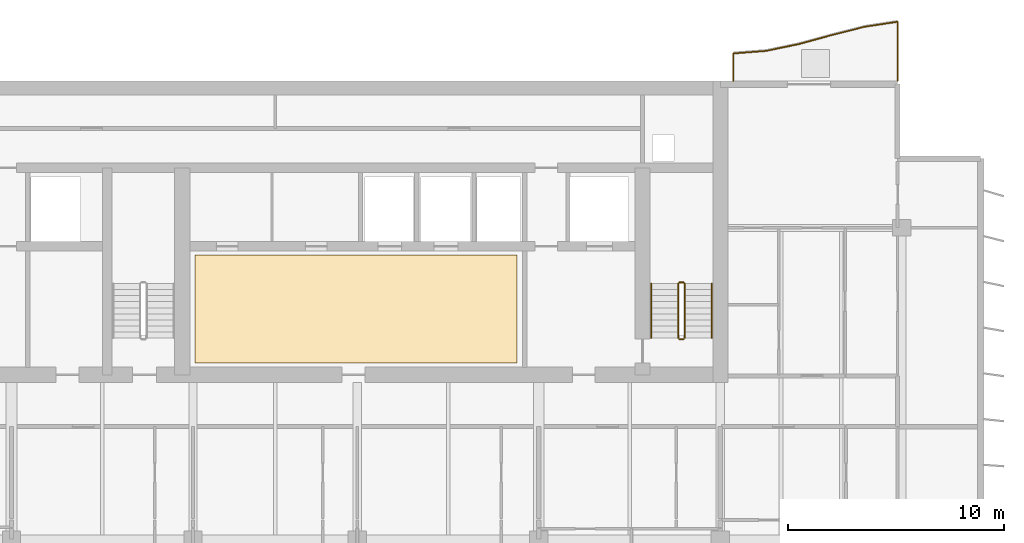
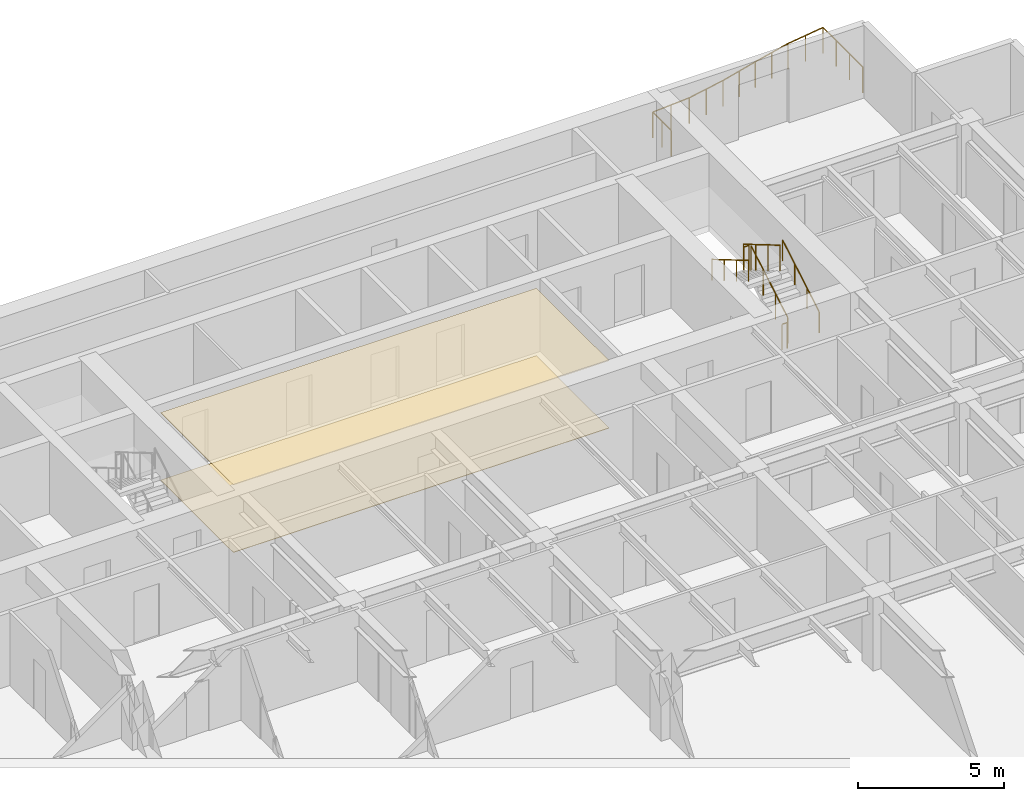
# One storey, part 17 of 18: 7 railings, 2 coverings.
"""IFC4 building model written with IfcOpenShell, lengths in metres."""

import ifcopenshell
import ifcopenshell.guid

model = None  # the IFC model being written
_history = None  # IfcOwnerHistory: only IFC2X3 demands one
_inside = {}  # id of a spatial element -> (the spatial element, [elements in it])
_under = {}  # id of a project, library or spatial element -> (it, [spatial elements below it])
_declared = {}  # id of a project -> (the project, [libraries it declares])
_typed = {}  # id of a type object -> (the type object, [elements of that type])
_made_of = {}  # id of a material, layer set ... -> (it, [elements and type objects made of it])


def new_model(schema):
    """Start an empty IFC model of exactly this schema.

    Asked for "IFC4X3", IfcOpenShell would pick the latest addendum, in which some entities
    have other attributes; the version numbers below select the first issue.
    IFC2X3 requires an IfcOwnerHistory on every rooted entity: one is made here for all.
    """
    global model, _history
    if schema == "IFC4X3":
        model = ifcopenshell.file(schema_version=(4, 3, 0, 0))
    else:
        model = ifcopenshell.file(schema=schema)
    _inside.clear()
    _under.clear()
    _declared.clear()
    _typed.clear()
    _made_of.clear()
    _history = None
    if model.schema == "IFC2X3":
        org = make("IfcOrganization", Name="unknown")
        user = make(
            "IfcPersonAndOrganization",
            ThePerson=make("IfcPerson", FamilyName="unknown"),
            TheOrganization=org,
        )
        app = make(
            "IfcApplication",
            ApplicationDeveloper=org,
            Version="unknown",
            ApplicationFullName="unknown",
            ApplicationIdentifier="unknown",
        )
        _history = make(
            "IfcOwnerHistory",
            OwningUser=user,
            OwningApplication=app,
            ChangeAction="ADDED",
            CreationDate=0,
        )
    return model


def make(cls, **values):
    """One entity of the class cls with the attributes given. An attribute that is None is left unset."""
    return model.create_entity(
        cls, **{name: value for name, value in values.items() if value is not None}
    )


def rooted(cls, **values):
    """An entity with a GlobalId (a new one), such as an element, a storey or a relation."""
    return make(cls, GlobalId=ifcopenshell.guid.new(), OwnerHistory=_history, **values)


def si_unit(unit_type, name, prefix=None):
    """IfcSIUnit, for example si_unit("LENGTHUNIT", "METRE", prefix="MILLI")."""
    return make("IfcSIUnit", UnitType=unit_type, Prefix=prefix, Name=name)


def assignment(units):
    """IfcUnitAssignment: the units of a project."""
    return None if units is None else make("IfcUnitAssignment", Units=units)


def point(xyz):
    """IfcCartesianPoint."""
    return None if xyz is None else make("IfcCartesianPoint", Coordinates=xyz)


def direction(xyz):
    """IfcDirection."""
    return None if xyz is None else make("IfcDirection", DirectionRatios=xyz)


def frame(location, z_axis=None, x_axis=None):
    """IfcAxis2Placement3D, a coordinate frame: its origin and axes. An axis left out is left unset."""
    return make(
        "IfcAxis2Placement3D",
        Location=point(location),
        Axis=direction(z_axis),
        RefDirection=direction(x_axis),
    )


def frame_2d(location, x_axis=None):
    """IfcAxis2Placement2D, a coordinate frame in the plane: its origin and x axis."""
    return make(
        "IfcAxis2Placement2D", Location=point(location), RefDirection=direction(x_axis)
    )


def origin():
    """The frame at (0, 0, 0) with its axes left unset."""
    return frame((0.0, 0.0, 0.0))


def origin_2d():
    """The frame at (0, 0) in the plane with its x axis left unset."""
    return frame_2d((0.0, 0.0))


def place(relative_to, where):
    """IfcLocalPlacement: puts the frame where relative to a parent placement (None: the world)."""
    return make(
        "IfcLocalPlacement", PlacementRelTo=relative_to, RelativePlacement=where
    )


def context(
    kind, dimensions, precision=None, world=None, true_north=None, identifier=None
):
    """IfcGeometricRepresentationContext, for example the 3D "Model" context."""
    return make(
        "IfcGeometricRepresentationContext",
        ContextIdentifier=identifier,
        ContextType=kind,
        CoordinateSpaceDimension=dimensions,
        Precision=precision,
        WorldCoordinateSystem=world,
        TrueNorth=true_north,
    )


def subcontext(parent, identifier, kind, view, scale=None):
    """IfcGeometricRepresentationSubContext, for example "Body" below "Model"."""
    return make(
        "IfcGeometricRepresentationSubContext",
        ContextIdentifier=identifier,
        ContextType=kind,
        ParentContext=parent,
        TargetScale=scale,
        TargetView=view,
    )


def project(units=None, contexts=None):
    """IfcProject with its units and contexts."""
    return rooted(
        "IfcProject",
        Name="project",
        RepresentationContexts=contexts,
        UnitsInContext=assignment(units),
    )


def spatial(cls, under=None, at=None, **own):
    """A site, building, storey or space (cls), placed at a placement, below another one or the project."""
    s = rooted(cls, ObjectPlacement=at, **own)
    if under is not None:
        _under.setdefault(under.id(), (under, []))[1].append(s)
    return s


def polyline(points):
    """IfcPolyline through the points."""
    return make("IfcPolyline", Points=[point(p) for p in points])


def profile(cls, at=None, kind="AREA", **sizes):
    """A parametric profile (cls). Its sizes go by their IFC names, for example OverallWidth=200.0."""
    return make(cls, ProfileType=kind, Position=at, **sizes)


def circle(**sizes):
    """IfcCircleProfileDef."""
    return profile("IfcCircleProfileDef", **sizes)


def outline(outer, holes=None, kind="AREA"):
    """IfcArbitraryClosedProfileDef: a profile drawn as a closed curve; with holes, ...WithVoids."""
    if holes is None:
        return make("IfcArbitraryClosedProfileDef", ProfileType=kind, OuterCurve=outer)
    return make(
        "IfcArbitraryProfileDefWithVoids",
        ProfileType=kind,
        OuterCurve=outer,
        InnerCurves=holes,
    )


def extrude(swept, where, along, depth):
    """IfcExtrudedAreaSolid: the profile swept, set in the frame where, extruded along a direction by depth."""
    return make(
        "IfcExtrudedAreaSolid",
        SweptArea=swept,
        Position=where,
        ExtrudedDirection=direction(along),
        Depth=depth,
    )


def shape(context_of_items, identifier, shape_type, items):
    """IfcShapeRepresentation: the items that make up one representation, for example the "Body"."""
    return make(
        "IfcShapeRepresentation",
        ContextOfItems=context_of_items,
        RepresentationIdentifier=identifier,
        RepresentationType=shape_type,
        Items=items,
    )


def material(Name=None, Category=None):
    """IfcMaterial."""
    return make("IfcMaterial", Name=Name, Category=Category)


def layer(
    of_material, thickness, ventilated=None, Name=None, Category=None, Priority=None
):
    """IfcMaterialLayer: one layer of a wall or slab, of a material (None: an air gap)."""
    return make(
        "IfcMaterialLayer",
        Material=of_material,
        LayerThickness=thickness,
        IsVentilated=ventilated,
        Name=Name,
        Category=Category,
        Priority=Priority,
    )


def layer_set(layers, Name=None):
    """IfcMaterialLayerSet."""
    return make("IfcMaterialLayerSet", MaterialLayers=layers, LayerSetName=Name)


def made_of(thing, what):
    """Note that an element or type object is made of a material, layer set ...; save() writes the relation."""
    if what is not None:
        _made_of.setdefault(what.id(), (what, []))[1].append(thing)
    return thing


def type_object(cls, material=None, **own):
    """A type object (cls), such as IfcWallType, which elements share."""
    return made_of(rooted(cls, **own), material)


def element(
    cls,
    number,
    at=None,
    inside=None,
    cuts=None,
    type_object=None,
    material=None,
    context=None,
    identifier="Body",
    shape_type=None,
    held_by="IfcProductDefinitionShape",
    body=None,
    shapes=None,
    **own,
):
    """One element of the class cls, such as IfcWall. Its Tag is "e" and its number.

    at: its placement. inside: the storey or other place that contains it. cuts: it is an
    opening in that element (IfcRelVoidsElement). A single representation is given by context,
    identifier, shape_type and body (its items); several are given by shapes. held_by: the class
    of the entity that holds the representations. save() writes the other relations.
    """
    e = rooted(cls, Tag="e%d" % number, ObjectPlacement=at, **own)
    if body is not None:
        shapes = [shape(context, identifier, shape_type, body)]
    if shapes is not None:
        e.Representation = make(held_by, Representations=shapes)
    if inside is not None:
        _inside.setdefault(inside.id(), (inside, []))[1].append(e)
    if cuts is not None:
        rooted(
            "IfcRelVoidsElement", RelatingBuildingElement=cuts, RelatedOpeningElement=e
        )
    if type_object is not None:
        _typed.setdefault(type_object.id(), (type_object, []))[1].append(e)
    return made_of(e, material)


def aggregate(whole, parts):
    """IfcRelAggregates: a whole, such as a stair, and the parts it consists of."""
    return rooted("IfcRelAggregates", RelatingObject=whole, RelatedObjects=parts)


def save(model, path):
    """Write the relations noted so far, then the file.

    IfcRelAggregates (storeys below a building ...), IfcRelContainedInSpatialStructure (elements
    in a storey), IfcRelDefinesByType, IfcRelAssociatesMaterial and IfcRelDeclares: one each for
    every whole, place, type object, material and project.
    """
    for whole, parts in _under.values():
        aggregate(whole, parts)
    for where, things in _inside.values():
        rooted(
            "IfcRelContainedInSpatialStructure",
            RelatedElements=things,
            RelatingStructure=where,
        )
    for kind, things in _typed.values():
        rooted("IfcRelDefinesByType", RelatedObjects=things, RelatingType=kind)
    for what, things in _made_of.values():
        rooted("IfcRelAssociatesMaterial", RelatedObjects=things, RelatingMaterial=what)
    for by, libraries in _declared.values():
        rooted("IfcRelDeclares", RelatingContext=by, RelatedDefinitions=libraries)
    model.write(path)


model = new_model("IFC4")

# Units and contexts
model_context = context("Model", 3, precision=1e-05, world=origin(), true_north=direction((0.0, 1.0)))
body_context = subcontext(model_context, "Body", "Model", "MODEL_VIEW")
ifc_project = project(units=[si_unit("LENGTHUNIT", "METRE"), si_unit("AREAUNIT", "SQUARE_METRE"), si_unit("VOLUMEUNIT", "CUBIC_METRE"), si_unit("PLANEANGLEUNIT", "RADIAN"), si_unit("MASSUNIT", "GRAM", prefix="KILO")], contexts=[model_context])

# Site, building, storey
site_placement = place(None, origin())
site = spatial("IfcSite", under=ifc_project, at=site_placement, CompositionType="ELEMENT")
building_placement = place(site_placement, origin())
building = spatial("IfcBuilding", under=site, at=building_placement, Name="Caelmar Bay Residences", CompositionType="ELEMENT")
storey_placement = place(building_placement, frame((0.0, 0.0, 173.699951171875)))
storey = spatial("IfcBuildingStorey", under=building, at=storey_placement, Name="L48", CompositionType="ELEMENT", Elevation=173.699951171875)

# Coverings
ifc_material_1 = material(Name="Perforated acoustic gypsum-mineral ceiling tile 20 mm")
ifc_layer_1 = layer(ifc_material_1, 0.02001953125)
ifc_layer_set_1 = layer_set([ifc_layer_1], Name="Perforated acoustic gypsum-mineral ceiling tile 20 mm")
covering_type_1 = type_object("IfcCoveringType", Name="COV-CEIL-20", PredefinedType="CEILING", material=ifc_layer_set_1)
covering_1_placement = place(storey_placement, frame((0.0, 0.0, 2.830078125)))
element("IfcCovering", 1, at=covering_1_placement, inside=storey, type_object=covering_type_1, Name="L48 Lift Lobby Acoustic Ceiling", PredefinedType="CEILING", context=body_context, shape_type="SweptSolid", body=[
    extrude(outline(polyline([(35.199951171875, 37.550048828125), (50.10009765625, 37.550048828125), (50.10009765625, 42.550048828125), (35.199951171875, 42.550048828125), (35.199951171875, 37.550048828125)])), origin(), (0.0, 0.0, 1.0), 0.02001953125),
])
ifc_material_2 = material(Name="Honed terrazzo and engineered white-oak flooring 20 mm")
ifc_layer_2 = layer(ifc_material_2, 0.02001953125)
ifc_layer_set_2 = layer_set([ifc_layer_2], Name="Honed terrazzo and engineered white-oak flooring 20 mm")
covering_type_2 = type_object("IfcCoveringType", Name="COV-FLR-20", PredefinedType="FLOORING", material=ifc_layer_set_2)
covering_2_placement = place(storey_placement, origin())
element("IfcCovering", 2, at=covering_2_placement, inside=storey, type_object=covering_type_2, Name="L48 Lift Lobby Terrazzo Flooring", PredefinedType="FLOORING", context=body_context, shape_type="SweptSolid", body=[
    extrude(outline(polyline([(35.199951171875, 37.550048828125), (50.10009765625, 37.550048828125), (50.10009765625, 42.550048828125), (35.199951171875, 42.550048828125), (35.199951171875, 37.550048828125)])), origin(), (0.0, 0.0, 1.0), 0.02001953125),
])

# Railings
ifc_material_3 = material(Name="Anodised bronze handrail with laminated hurricane glass infill", Category="glass")
railing_type_1 = type_object("IfcRailingType", Name="RL-BAL-1100", PredefinedType="BALUSTRADE", material=ifc_material_3)
railing_1_placement = place(storey_placement, frame((67.699951171875, 50.60009765625, 0.0)))
element("IfcRailing", 3, at=railing_1_placement, inside=storey, type_object=railing_type_1, Name="L48 north_east Balcony Balustrade", PredefinedType="BALUSTRADE", context=body_context, shape_type="SweptSolid", body=[
    extrude(circle(Radius=0.02392578125, at=origin_2d()), frame((0.0, 0.0, 1.076171875), z_axis=(0.0, 1.0, 0.0), x_axis=(-1.0, 0.0, 0.0)), (0.0, 0.0, 1.0), 2.736572265625),
    extrude(circle(Radius=0.02392578125, at=origin_2d()), frame((0.0, 2.736572265625, 1.076171875), z_axis=(-0.988581843738, -0.150684897158, 0.0), x_axis=(0.150684897158, -0.988581843738, 0.0)), (0.0, 0.0, 1.0), 1.53759765625),
    extrude(circle(Radius=0.02392578125, at=origin_2d()), frame((-1.52001953125, 2.5048828125, 1.076171875), z_axis=(-0.969497919705, -0.245099538326, 0.0), x_axis=(0.245099538326, -0.969497919705, 0.0)), (0.0, 0.0, 1.0), 1.56787109375),
    extrude(circle(Radius=0.02392578125, at=origin_2d()), frame((-3.0400390625, 2.12060546875, 1.076171875), z_axis=(-0.964527479323, -0.263982464627, 0.0), x_axis=(0.263982464627, -0.964527479323, 0.0)), (0.0, 0.0, 1.0), 1.575927734375),
    extrude(circle(Radius=0.02392578125, at=origin_2d()), frame((-4.56005859375, 1.70458984375, 1.076171875), z_axis=(-0.978976494466, -0.20397309451, 0.0), x_axis=(0.20397309451, -0.978976494466, 0.0)), (0.0, 0.0, 1.0), 1.552490234375),
    extrude(circle(Radius=0.02392578125, at=origin_2d()), frame((-6.079833984375, 1.387939453125, 1.076171875), z_axis=(-0.997004349632, -0.077345502871, 0.0), x_axis=(0.077345502871, -0.997004349632, 0.0)), (0.0, 0.0, 1.0), 1.524658203125),
    extrude(circle(Radius=0.02392578125, at=origin_2d()), frame((-7.599853515625, 1.27001953125, 1.076171875), z_axis=(0.0, -1.0, 0.0), x_axis=(1.0, 0.0, 0.0)), (0.0, 0.0, 1.0), 1.27001953125),
    extrude(circle(Radius=0.02099609375, at=origin_2d()), origin(), (0.0, 0.0, 1.0), 1.052001953125),
    extrude(circle(Radius=0.02099609375, at=origin_2d()), frame((0.0, 0.912109375, 0.0)), (0.0, 0.0, 1.0), 1.052001953125),
    extrude(circle(Radius=0.02099609375, at=origin_2d()), frame((0.0, 1.824462890625, 0.0)), (0.0, 0.0, 1.0), 1.052001953125),
    extrude(circle(Radius=0.02099609375, at=origin_2d()), frame((0.0, 2.736572265625, 0.0)), (0.0, 0.0, 1.0), 1.052001953125),
    extrude(circle(Radius=0.02099609375, at=origin_2d()), frame((-0.760009765625, 2.62060546875, 0.0)), (0.0, 0.0, 1.0), 1.052001953125),
    extrude(circle(Radius=0.02099609375, at=origin_2d()), frame((-1.52001953125, 2.5048828125, 0.0)), (0.0, 0.0, 1.0), 1.052001953125),
    extrude(circle(Radius=0.02099609375, at=origin_2d()), frame((-2.280029296875, 2.312744140625, 0.0)), (0.0, 0.0, 1.0), 1.052001953125),
    extrude(circle(Radius=0.02099609375, at=origin_2d()), frame((-3.0400390625, 2.12060546875, 0.0)), (0.0, 0.0, 1.0), 1.052001953125),
    extrude(circle(Radius=0.02099609375, at=origin_2d()), frame((-3.800048828125, 1.91259765625, 0.0)), (0.0, 0.0, 1.0), 1.052001953125),
    extrude(circle(Radius=0.02099609375, at=origin_2d()), frame((-4.56005859375, 1.70458984375, 0.0)), (0.0, 0.0, 1.0), 1.052001953125),
    extrude(circle(Radius=0.02099609375, at=origin_2d()), frame((-5.31982421875, 1.54638671875, 0.0)), (0.0, 0.0, 1.0), 1.052001953125),
    extrude(circle(Radius=0.02099609375, at=origin_2d()), frame((-6.079833984375, 1.387939453125, 0.0)), (0.0, 0.0, 1.0), 1.052001953125),
    extrude(circle(Radius=0.02099609375, at=origin_2d()), frame((-6.83984375, 1.3291015625, 0.0)), (0.0, 0.0, 1.0), 1.052001953125),
    extrude(circle(Radius=0.02099609375, at=origin_2d()), frame((-7.599853515625, 1.27001953125, 0.0)), (0.0, 0.0, 1.0), 1.052001953125),
    extrude(circle(Radius=0.02099609375, at=origin_2d()), frame((-7.599853515625, 0.635009765625, 0.0)), (0.0, 0.0, 1.0), 1.052001953125),
    extrude(circle(Radius=0.02099609375, at=origin_2d()), frame((-7.599853515625, 0.0, 0.0)), (0.0, 0.0, 1.0), 1.052001953125),
])
ifc_material_4 = material(Name="Painted galvanized steel stair guard 1100 mm", Category="steel")
railing_type_2 = type_object("IfcRailingType", Name="RL-GRD-1100", PredefinedType="GUARDRAIL", material=ifc_material_4)
railing_2_placement = place(storey_placement, frame((57.85009765625, 38.699951171875, 0.1650390625)))
element("IfcRailing", 4, at=railing_2_placement, inside=storey, type_object=railing_type_2, Name="L48 ST2 stair guard 1", PredefinedType="GUARDRAIL", context=body_context, shape_type="SweptSolid", body=[
    extrude(circle(Radius=0.02392578125, at=origin_2d()), frame((0.0, 0.0, 1.076171875), z_axis=(0.0, 0.86152411907, 0.507716645641), x_axis=(-1.0, 0.0, 0.0)), (0.0, 0.0, 1.0), 2.925048828125),
    extrude(circle(Radius=0.02099609375, at=origin_2d()), origin(), (0.0, 0.0, 1.0), 1.052001953125),
    extrude(circle(Radius=0.02099609375, at=origin_2d()), frame((0.0, 0.840087890625, 0.4951171875)), (0.0, 0.0, 1.0), 1.052001953125),
    extrude(circle(Radius=0.02099609375, at=origin_2d()), frame((0.0, 1.679931640625, 0.989990234375)), (0.0, 0.0, 1.0), 1.052001953125),
    extrude(circle(Radius=0.02099609375, at=origin_2d()), frame((0.0, 2.52001953125, 1.485107421875)), (0.0, 0.0, 1.0), 1.052001953125),
])
railing_3_placement = place(storey_placement, frame((57.800048828125, 41.27001953125, 1.650146484375)))
element("IfcRailing", 5, at=railing_3_placement, inside=storey, type_object=railing_type_2, Name="L48 ST2 stair guard 2", PredefinedType="GUARDRAIL", context=body_context, shape_type="SweptSolid", body=[
    extrude(circle(Radius=0.02392578125, at=origin_2d()), frame((0.0, 0.0, 1.076171875), z_axis=(-1.0, 0.0, 0.0), x_axis=(0.0, -1.0, 0.0)), (0.0, 0.0, 1.0), 0.199951171875),
    extrude(circle(Radius=0.02099609375, at=origin_2d()), origin(), (0.0, 0.0, 1.0), 1.052001953125),
    extrude(circle(Radius=0.02099609375, at=origin_2d()), frame((-0.199951171875, 0.0, 0.0)), (0.0, 0.0, 1.0), 1.052001953125),
])
railing_4_placement = place(storey_placement, frame((57.550048828125, 41.219970703125, 1.81494140625)))
element("IfcRailing", 6, at=railing_4_placement, inside=storey, type_object=railing_type_2, Name="L48 ST2 stair guard 3", PredefinedType="GUARDRAIL", context=body_context, shape_type="SweptSolid", body=[
    extrude(circle(Radius=0.02392578125, at=origin_2d()), frame((0.0, 0.0, 1.076171875), z_axis=(0.0, -0.86152411907, 0.507716645641), x_axis=(1.0, 0.0, 0.0)), (0.0, 0.0, 1.0), 2.925048828125),
    extrude(circle(Radius=0.02099609375, at=origin_2d()), origin(), (0.0, 0.0, 1.0), 1.052001953125),
    extrude(circle(Radius=0.02099609375, at=origin_2d()), frame((0.0, -0.840087890625, 0.4951171875)), (0.0, 0.0, 1.0), 1.052001953125),
    extrude(circle(Radius=0.02099609375, at=origin_2d()), frame((0.0, -1.679931640625, 0.989990234375)), (0.0, 0.0, 1.0), 1.052001953125),
    extrude(circle(Radius=0.02099609375, at=origin_2d()), frame((0.0, -2.52001953125, 1.485107421875)), (0.0, 0.0, 1.0), 1.052001953125),
])
railing_5_placement = place(storey_placement, frame((57.800048828125, 38.64990234375, 0.0)))
element("IfcRailing", 7, at=railing_5_placement, inside=storey, type_object=railing_type_2, Name="L48 ST2 stair guard 4", PredefinedType="GUARDRAIL", context=body_context, shape_type="SweptSolid", body=[
    extrude(circle(Radius=0.02392578125, at=origin_2d()), frame((0.0, 0.0, 1.076171875), z_axis=(-1.0, 0.0, 0.0), x_axis=(0.0, -1.0, 0.0)), (0.0, 0.0, 1.0), 0.199951171875),
    extrude(circle(Radius=0.02099609375, at=origin_2d()), origin(), (0.0, 0.0, 1.0), 1.052001953125),
    extrude(circle(Radius=0.02099609375, at=origin_2d()), frame((-0.199951171875, 0.0, 0.0)), (0.0, 0.0, 1.0), 1.052001953125),
])
ifc_material_5 = material(Name="Brushed bronze stainless-steel tubular handrail 900 mm", Category="steel")
railing_type_3 = type_object("IfcRailingType", Name="RL-HND-900", PredefinedType="HANDRAIL", material=ifc_material_5)
railing_6_placement = place(storey_placement, frame((59.10009765625, 38.699951171875, 0.1650390625)))
element("IfcRailing", 8, at=railing_6_placement, inside=storey, type_object=railing_type_3, Name="L48 ST2 stair handrail 1", PredefinedType="HANDRAIL", context=body_context, shape_type="SweptSolid", body=[
    extrude(circle(Radius=0.02392578125, at=origin_2d()), frame((0.0, 0.0, 0.8759765625), z_axis=(0.0, 0.86152411907, 0.507716645641), x_axis=(-1.0, 0.0, 0.0)), (0.0, 0.0, 1.0), 2.925048828125),
    extrude(circle(Radius=0.02099609375, at=origin_2d()), origin(), (0.0, 0.0, 1.0), 0.851806640625),
    extrude(circle(Radius=0.02099609375, at=origin_2d()), frame((0.0, 0.840087890625, 0.4951171875)), (0.0, 0.0, 1.0), 0.851806640625),
    extrude(circle(Radius=0.02099609375, at=origin_2d()), frame((0.0, 1.679931640625, 0.989990234375)), (0.0, 0.0, 1.0), 0.851806640625),
    extrude(circle(Radius=0.02099609375, at=origin_2d()), frame((0.0, 2.52001953125, 1.485107421875)), (0.0, 0.0, 1.0), 0.851806640625),
])
railing_7_placement = place(storey_placement, frame((56.300048828125, 41.219970703125, 1.81494140625)))
element("IfcRailing", 9, at=railing_7_placement, inside=storey, type_object=railing_type_3, Name="L48 ST2 stair handrail 2", PredefinedType="HANDRAIL", context=body_context, shape_type="SweptSolid", body=[
    extrude(circle(Radius=0.02392578125, at=origin_2d()), frame((0.0, 0.0, 0.8759765625), z_axis=(0.0, -0.86152411907, 0.507716645641), x_axis=(1.0, 0.0, 0.0)), (0.0, 0.0, 1.0), 2.925048828125),
    extrude(circle(Radius=0.02099609375, at=origin_2d()), origin(), (0.0, 0.0, 1.0), 0.851806640625),
    extrude(circle(Radius=0.02099609375, at=origin_2d()), frame((0.0, -0.840087890625, 0.4951171875)), (0.0, 0.0, 1.0), 0.851806640625),
    extrude(circle(Radius=0.02099609375, at=origin_2d()), frame((0.0, -1.679931640625, 0.989990234375)), (0.0, 0.0, 1.0), 0.851806640625),
    extrude(circle(Radius=0.02099609375, at=origin_2d()), frame((0.0, -2.52001953125, 1.485107421875)), (0.0, 0.0, 1.0), 0.851806640625),
])

save(model, "model.ifc")
